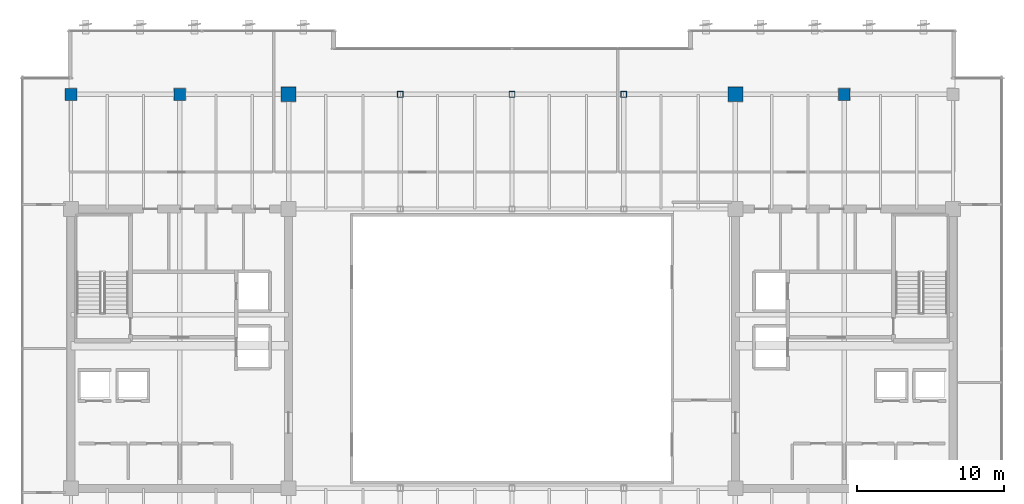
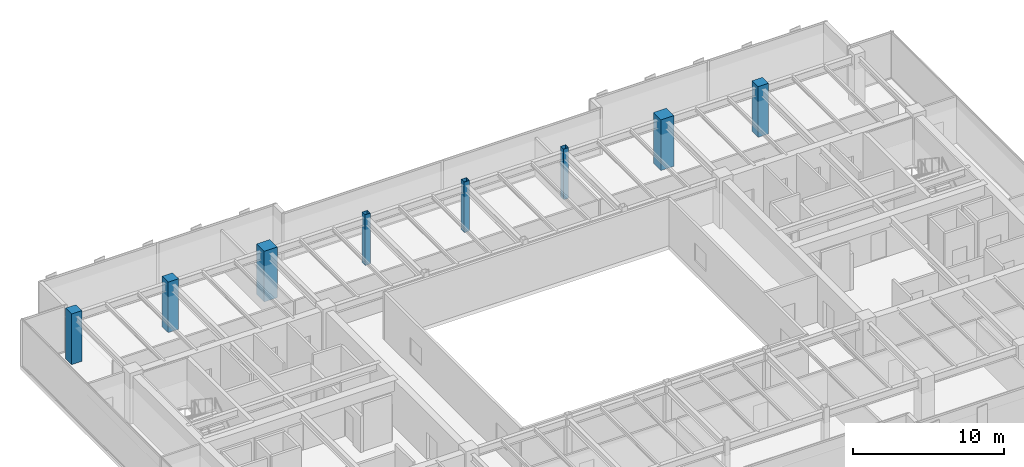
# One storey, part 3 of 36: 8 columns.
"""IFC4 building model written with IfcOpenShell, lengths in metres."""

from ifc_helpers import new_model, si_unit, direction, frame, origin, origin_2d, place, context, subcontext, project, spatial, rectangle, hollow_rectangle, extrude, source, transform, mapped, material, material_profile, profile_set, type_object, type_shapes, element, save


model = new_model("IFC4")

# Units and contexts
model_context = context("Model", 3, precision=1e-05, world=origin(), true_north=direction((0.0, 1.0)))
body_context = subcontext(model_context, "Body", "Model", "MODEL_VIEW")
ifc_project = project(units=[si_unit("LENGTHUNIT", "METRE"), si_unit("AREAUNIT", "SQUARE_METRE"), si_unit("VOLUMEUNIT", "CUBIC_METRE"), si_unit("PLANEANGLEUNIT", "RADIAN"), si_unit("MASSUNIT", "GRAM", prefix="KILO")], contexts=[model_context])

# Site, building, storey
site_placement = place(None, origin())
site = spatial("IfcSite", under=ifc_project, at=site_placement, CompositionType="ELEMENT")
building_placement = place(site_placement, origin())
building = spatial("IfcBuilding", under=site, at=building_placement, Name="Haelvirn Gate Laboratories", CompositionType="ELEMENT")
storey_placement = place(building_placement, frame((0.0, 0.0, 242.39990234375)))
storey = spatial("IfcBuildingStorey", under=building, at=storey_placement, Name="L58", CompositionType="ELEMENT", Elevation=242.39990234375)

# Columns
ifc_material_1 = material(Name="Concrete C60/75", Category="concrete")
ifc_material_profile_1 = material_profile(ifc_material_1, rectangle(XDim=1.0, YDim=1.0, at=origin_2d()), Name="RC-1000x1000")
ifc_profile_set_1 = profile_set([ifc_material_profile_1], Name="Concrete C60/75")
column_type_1 = type_object("IfcColumnType", Name="COL-RC-1000", PredefinedType="COLUMN", material=ifc_profile_set_1)
shared_shape_1 = source(origin(), body_context, "Body", "SweptSolid", [
    extrude(rectangle(XDim=1.0, YDim=1.0, at=origin_2d()), origin(), (0.0, 0.0, 1.0), 4.10009765625),
])
type_shapes(column_type_1, [shared_shape_1])
for number, where, z_axis, x_axis, name in (
    (1, (22.199951171875, 41.60009765625, 0.0), (0.0, 0.0, 1.0), (1.0, 0.0, 0.0), "L58 Column 4G"),
    (2, (52.60009765625, 41.60009765625, 0.0), (0.0, 0.0, 1.0), (1.0, 0.0, 0.0), "L58 Column 8G"),
):
    element("IfcColumn", number, at=place(storey_placement, frame(where, z_axis=z_axis, x_axis=x_axis)), inside=storey, type_object=column_type_1, Name=name, PredefinedType="COLUMN", context=body_context, shape_type="MappedRepresentation", body=[
        mapped(shared_shape_1, transform((0.0, 0.0, 0.0), scale=1.0)),
    ])
ifc_material_2 = material(Name="Concrete C50/60", Category="concrete")
ifc_material_profile_2 = material_profile(ifc_material_2, rectangle(XDim=0.800048828125, YDim=0.800048828125, at=origin_2d()), Name="RC-800x800")
ifc_profile_set_2 = profile_set([ifc_material_profile_2], Name="Concrete C50/60")
column_type_2 = type_object("IfcColumnType", Name="COL-RC-800", PredefinedType="COLUMN", material=ifc_profile_set_2)
shared_shape_2 = source(origin(), body_context, "Body", "SweptSolid", [
    extrude(rectangle(XDim=0.800048828125, YDim=0.800048828125, at=origin_2d()), origin(), (0.0, 0.0, 1.0), 4.10009765625),
])
type_shapes(column_type_2, [shared_shape_2])
for number, where, z_axis, x_axis, name in (
    (3, (14.800048828125, 41.60009765625, 0.0), (0.0, 0.0, 1.0), (1.0, 0.0, 0.0), "L58 Column 3G"),
    (4, (60.0, 41.60009765625, 0.0), (0.0, 0.0, 1.0), (1.0, 0.0, 0.0), "L58 Column 9G"),
    (5, (7.39990234375, 41.60009765625, 0.0), (0.0, 0.0, 1.0), (1.0, 0.0, 0.0), "L58 Column 2G"),
):
    element("IfcColumn", number, at=place(storey_placement, frame(where, z_axis=z_axis, x_axis=x_axis)), inside=storey, type_object=column_type_2, Name=name, PredefinedType="COLUMN", context=body_context, shape_type="MappedRepresentation", body=[
        mapped(shared_shape_2, transform((0.0, 0.0, 0.0), scale=1.0)),
    ])
ifc_material_3 = material(Name="Steel SM355", Category="steel")
ifc_material_profile_3 = material_profile(ifc_material_3, hollow_rectangle(XDim=0.39990234375, YDim=0.39990234375, WallThickness=0.01904296875, at=origin_2d()), Name="BOX-400x400x19")
ifc_profile_set_3 = profile_set([ifc_material_profile_3], Name="Steel SM355")
column_type_3 = type_object("IfcColumnType", Name="COL-BOX-400", PredefinedType="COLUMN", material=ifc_profile_set_3)
shared_shape_3 = source(origin(), body_context, "Body", "SweptSolid", [
    extrude(hollow_rectangle(XDim=0.39990234375, YDim=0.39990234375, WallThickness=0.01904296875, at=origin_2d()), origin(), (0.0, 0.0, 1.0), 4.10009765625),
])
type_shapes(column_type_3, [shared_shape_3])
for number, where, z_axis, x_axis, name in (
    (6, (29.800048828125, 41.60009765625, 0.0), (0.0, 0.0, 1.0), (1.0, 0.0, 0.0), "L58 Column 5G"),
    (7, (37.39990234375, 41.60009765625, 0.0), (0.0, 0.0, 1.0), (1.0, 0.0, 0.0), "L58 Column 6G"),
    (8, (45.0, 41.60009765625, 0.0), (0.0, 0.0, 1.0), (1.0, 0.0, 0.0), "L58 Column 7G"),
):
    element("IfcColumn", number, at=place(storey_placement, frame(where, z_axis=z_axis, x_axis=x_axis)), inside=storey, type_object=column_type_3, Name=name, PredefinedType="COLUMN", context=body_context, shape_type="MappedRepresentation", body=[
        mapped(shared_shape_3, transform((0.0, 0.0, 0.0), scale=1.0)),
    ])

save(model, "model.ifc")
